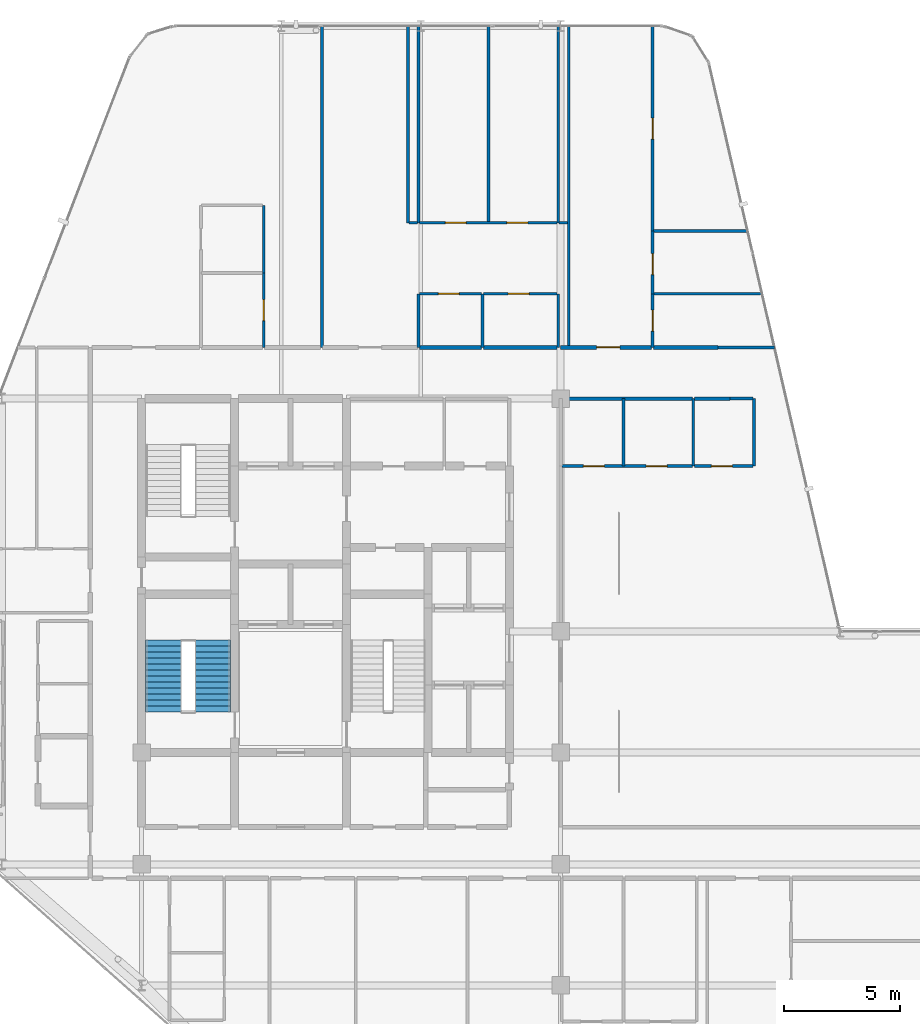
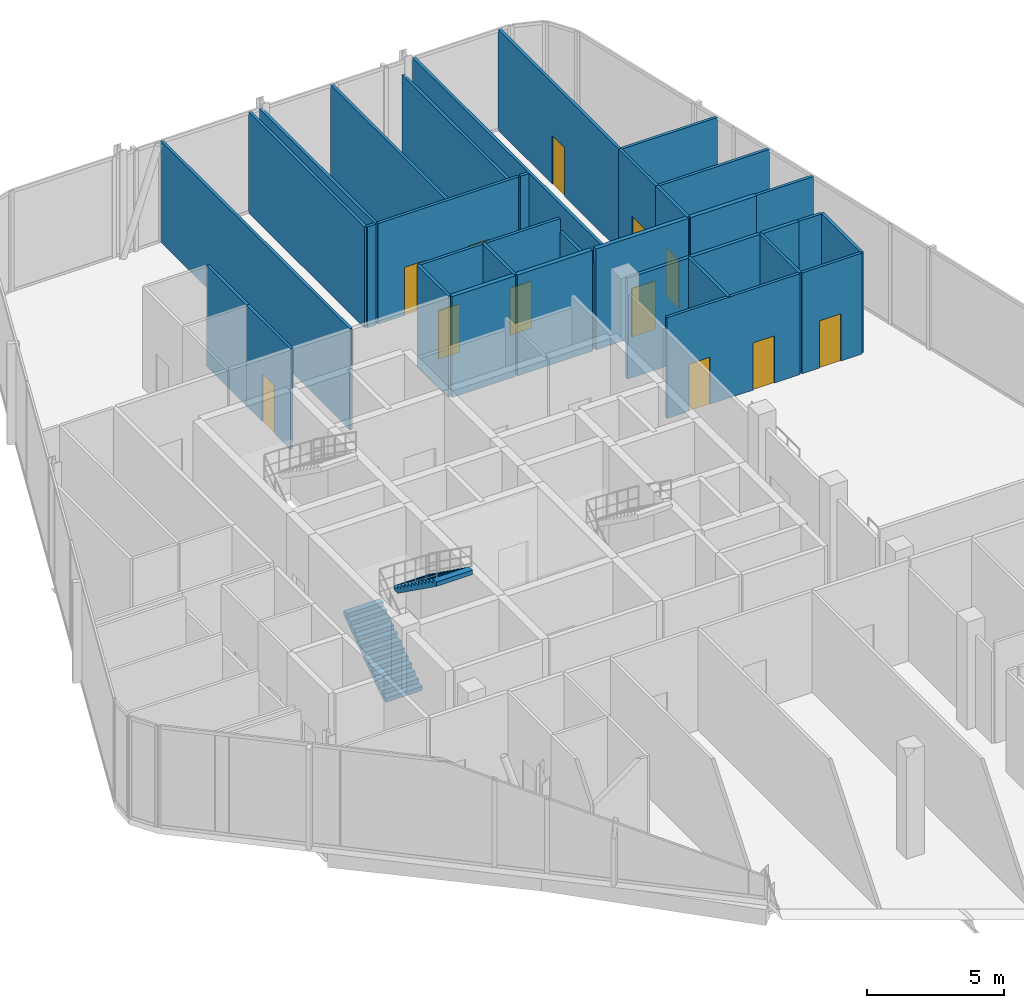
# One storey, part 27 of 29: 34 walls, 12 doors, 2 stair flights, 12 openings, 1 element without a shape of its own.
"""IFC4 building model written with IfcOpenShell, lengths in metres."""

from ifc_helpers import new_model, si_unit, direction, frame, frame_2d, origin, place, context, subcontext, project, spatial, polyline, rectangle, outline, extrude, material, layer, layer_set, type_object, element, fill, aggregate, save


model = new_model("IFC4")

# Units and contexts
model_context = context("Model", 3, precision=1e-05, world=origin(), true_north=direction((0.0, 1.0)))
body_context = subcontext(model_context, "Body", "Model", "MODEL_VIEW")
ifc_project = project(units=[si_unit("LENGTHUNIT", "METRE"), si_unit("AREAUNIT", "SQUARE_METRE"), si_unit("VOLUMEUNIT", "CUBIC_METRE"), si_unit("PLANEANGLEUNIT", "RADIAN"), si_unit("MASSUNIT", "GRAM", prefix="KILO")], contexts=[model_context])

# Site, building, storey
site_placement = place(None, origin())
site = spatial("IfcSite", under=ifc_project, at=site_placement, CompositionType="ELEMENT")
building_placement = place(site_placement, origin())
building = spatial("IfcBuilding", under=site, at=building_placement, Name="Keshet Zoharim Tower", CompositionType="ELEMENT")
storey_placement = place(building_placement, frame((0.0, 0.0, 218.0)))
storey = spatial("IfcBuildingStorey", under=building, at=storey_placement, Name="L54", CompositionType="ELEMENT", Elevation=218.0)

# Walls
ifc_material_1 = material(Name="Gypsum Plasterboard", Category="gypsum")
ifc_layer_1 = layer(ifc_material_1, 0.14990234375)
ifc_layer_set_1 = layer_set([ifc_layer_1], Name="Gypsum Plasterboard")
wall_type_1 = type_object("IfcWallType", Name="WL-CLIN-150", PredefinedType="STANDARD", material=ifc_layer_set_1)
wall_1_placement = place(storey_placement, frame((33.06005859375, 37.89990234375, 0.0), z_axis=(0.0, 0.0, 1.0), x_axis=(1.0, 0.0, 0.0)))
element("IfcWall", 1, at=wall_1_placement, inside=storey, type_object=wall_type_1, Name="L54 Interior Wall 160", PredefinedType="STANDARD", context=body_context, shape_type="SweptSolid", body=[
    extrude(rectangle(XDim=5.594970703125, YDim=0.14990234375, at=frame_2d((2.79736328125, 0.0))), origin(), (0.0, 0.0, 1.0), 4.489990234375),
])
wall_2_placement = place(storey_placement, frame((38.7451171875, 37.89990234375, 0.0), z_axis=(0.0, 0.0, 1.0), x_axis=(1.0, 0.0, 0.0)))
element("IfcWall", 2, at=wall_2_placement, inside=storey, type_object=wall_type_1, Name="L54 Interior Wall 161", PredefinedType="STANDARD", context=body_context, shape_type="SweptSolid", body=[
    extrude(rectangle(XDim=1.52490234375, YDim=0.14990234375, at=frame_2d((0.762451171875, 0.0))), origin(), (0.0, 0.0, 1.0), 4.489990234375),
])
ifc_layer_2 = layer(ifc_material_1, 0.179931640625)
ifc_layer_set_2 = layer_set([ifc_layer_2], Name="Gypsum Plasterboard")
wall_type_2 = type_object("IfcWallType", Name="WL-CORR-180", PredefinedType="STANDARD", material=ifc_layer_set_2)
wall_3_placement = place(storey_placement, frame((26.93505859375, 40.10009765625, 0.0), z_axis=(0.0, 0.0, 1.0), x_axis=(1.0, 0.0, 0.0)))
element("IfcWall", 3, at=wall_3_placement, inside=storey, type_object=wall_type_2, Name="L54 Interior Wall 169", PredefinedType="STANDARD", context=body_context, shape_type="SweptSolid", body=[
    extrude(rectangle(XDim=2.669921875, YDim=0.179931640625, at=frame_2d((1.3349609375, 0.0))), origin(), (0.0, 0.0, 1.0), 4.489990234375),
])
wall_4_placement = place(storey_placement, frame((29.695068359375, 40.10009765625, 0.0), z_axis=(0.0, 0.0, 1.0), x_axis=(1.0, 0.0, 0.0)))
element("IfcWall", 4, at=wall_4_placement, inside=storey, type_object=wall_type_2, Name="L54 Interior Wall 170", PredefinedType="STANDARD", context=body_context, shape_type="SweptSolid", body=[
    extrude(rectangle(XDim=3.14990234375, YDim=0.179931640625, at=frame_2d((1.574951171875, 0.0))), origin(), (0.0, 0.0, 1.0), 4.489990234375),
])

# Wall, opening, door
wall_5_placement = place(storey_placement, frame((33.0, 40.10009765625, 0.0), z_axis=(0.0, 0.0, 1.0), x_axis=(1.0, 0.0, 0.0)))
wall_5 = element("IfcWall", 5, at=wall_5_placement, inside=storey, type_object=wall_type_2, Name="L54 Interior Wall 171", PredefinedType="STANDARD", context=body_context, shape_type="SweptSolid", body=[
    extrude(rectangle(XDim=3.89501953125, YDim=0.179931640625, at=frame_2d((1.947509765625, 0.0))), origin(), (0.0, 0.0, 1.0), 4.489990234375),
])
opening_1_placement = place(wall_5_placement, frame((1.5439453125, 0.0, 0.0)))
opening_1 = element("IfcOpeningElement", 6, at=opening_1_placement, cuts=wall_5, Name="Opening D-F310", PredefinedType="OPENING", context=body_context, shape_type="SweptSolid", body=[
    extrude(rectangle(XDim=1.0, YDim=2.14990234375, at=frame_2d((0.5, 1.074951171875))), frame((0.0, 0.10009765625, 0.0), z_axis=(0.0, -1.0, 0.0), x_axis=(1.0, 0.0, 0.0)), (0.0, 0.0, 1.0), 0.199951171875),
])
ifc_material_2 = material(Name="Hardwood Timber", Category="wood")
door_type_1 = type_object("IfcDoorType", Name="DR-FD30-100", OperationType="NOTDEFINED", PredefinedType="DOOR", material=ifc_material_2)
door_1_placement = place(opening_1_placement, origin())
door_1 = element("IfcDoor", 7, at=door_1_placement, inside=storey, type_object=door_type_1, Name="Apartment 5407 Entrance Door", OperationType="SINGLE_SWING_LEFT", OverallHeight=2.14990234375, OverallWidth=1.0, PredefinedType="DOOR", context=body_context, shape_type="SweptSolid", body=[
    extrude(rectangle(XDim=1.0, YDim=2.14990234375, at=frame_2d((0.5, 1.074951171875))), frame((0.0, 0.02490234375, 0.0), z_axis=(0.0, -1.0, 0.0), x_axis=(1.0, 0.0, 0.0)), (0.0, 0.0, 1.0), 0.050048828125),
])
fill(opening_1, door_1)

# Wall
wall_6_placement = place(storey_placement, frame((36.985107421875, 40.10009765625, 0.0), z_axis=(0.0, 0.0, 1.0), x_axis=(1.0, 0.0, 0.0)))
element("IfcWall", 8, at=wall_6_placement, inside=storey, type_object=wall_type_2, Name="L54 Interior Wall 172", PredefinedType="STANDARD", context=body_context, shape_type="SweptSolid", body=[
    extrude(rectangle(XDim=2.77783203125, YDim=0.179931640625, at=frame_2d((1.388916015625, 0.0))), origin(), (0.0, 0.0, 1.0), 4.489990234375),
])

# Wall, opening, door
ifc_layer_3 = layer(ifc_material_1, 0.1201171875)
ifc_layer_set_3 = layer_set([ifc_layer_3], Name="Gypsum Plasterboard")
wall_type_3 = type_object("IfcWallType", Name="WL-PART-120", PredefinedType="PARTITIONING", material=ifc_layer_set_3)
wall_7_placement = place(storey_placement, frame((20.25, 40.10009765625, 0.0), z_axis=(0.0, 0.0, 1.0), x_axis=(0.0, 1.0, 0.0)))
wall_7 = element("IfcWall", 9, at=wall_7_placement, inside=storey, type_object=wall_type_3, Name="L54 Interior Wall 028", PredefinedType="PARTITIONING", context=body_context, shape_type="SweptSolid", body=[
    extrude(rectangle(XDim=3.199951171875, YDim=0.1201171875, at=frame_2d((1.60009765625, 0.0))), origin(), (0.0, 0.0, 1.0), 4.489990234375),
])
opening_2_placement = place(wall_7_placement, frame((1.14990234375, 0.0, 0.0)))
opening_2 = element("IfcOpeningElement", 10, at=opening_2_placement, cuts=wall_7, Name="Opening D-IN90", PredefinedType="OPENING", context=body_context, shape_type="SweptSolid", body=[
    extrude(rectangle(XDim=0.89990234375, YDim=2.14990234375, at=frame_2d((0.449951171875, 1.074951171875))), frame((0.0, 0.070068359375, 0.0), z_axis=(0.0, -1.0, 0.0), x_axis=(1.0, 0.0, 0.0)), (0.0, 0.0, 1.0), 0.14013671875),
])
door_type_2 = type_object("IfcDoorType", Name="DR-INT-090", OperationType="NOTDEFINED", PredefinedType="DOOR", material=ifc_material_2)
door_2_placement = place(opening_2_placement, origin())
door_2 = element("IfcDoor", 11, at=door_2_placement, inside=storey, type_object=door_type_2, Name="Apartment 5405 Kitchenette Door", OperationType="SINGLE_SWING_RIGHT", OverallHeight=2.14990234375, OverallWidth=0.89990234375, PredefinedType="DOOR", context=body_context, shape_type="SweptSolid", body=[
    extrude(rectangle(XDim=0.89990234375, YDim=2.14990234375, at=frame_2d((0.449951171875, 1.074951171875))), frame((0.0, 0.02490234375, 0.0), z_axis=(0.0, -1.0, 0.0), x_axis=(1.0, 0.0, 0.0)), (0.0, 0.0, 1.0), 0.050048828125),
])
fill(opening_2, door_2)

# Walls
wall_8_placement = place(storey_placement, frame((22.75, 40.10009765625, 0.0), z_axis=(0.0, 0.0, 1.0), x_axis=(0.0, 1.0, 0.0)))
element("IfcWall", 12, at=wall_8_placement, inside=storey, type_object=wall_type_3, Name="L54 Interior Wall 033", PredefinedType="PARTITIONING", context=body_context, shape_type="SweptSolid", body=[
    extrude(rectangle(XDim=13.789794921875, YDim=0.1201171875, at=frame_2d((6.89501953125, 0.0))), origin(), (0.0, 0.0, 1.0), 4.489990234375),
])
wall_9_placement = place(storey_placement, frame((26.449951171875, 45.449951171875, 0.0), z_axis=(0.0, 0.0, 1.0), x_axis=(0.0, 1.0, 0.0)))
element("IfcWall", 13, at=wall_9_placement, inside=storey, type_object=wall_type_3, Name="L54 Interior Wall 042", PredefinedType="PARTITIONING", context=body_context, shape_type="SweptSolid", body=[
    extrude(rectangle(XDim=8.43994140625, YDim=0.1201171875, at=frame_2d((4.219970703125, 0.0))), origin(), (0.0, 0.0, 1.0), 4.489990234375),
])
wall_10_placement = place(storey_placement, frame((26.89990234375, 40.10009765625, 0.0), z_axis=(0.0, 0.0, 1.0), x_axis=(0.0, 1.0, 0.0)))
element("IfcWall", 14, at=wall_10_placement, inside=storey, type_object=wall_type_3, Name="L54 Interior Wall 043", PredefinedType="PARTITIONING", context=body_context, shape_type="SweptSolid", body=[
    extrude(rectangle(XDim=2.2998046875, YDim=0.1201171875, at=frame_2d((1.14990234375, 0.0))), origin(), (0.0, 0.0, 1.0), 4.489990234375),
])
for number, where, z_axis, x_axis, name in (
    (15, (26.89990234375, 45.449951171875, 0.0), (0.0, 0.0, 1.0), (0.0, 1.0, 0.0), "L54 Interior Wall 044"),
    (16, (29.89990234375, 45.449951171875, 0.0), (0.0, 0.0, 1.0), (0.0, 1.0, 0.0), "L54 Interior Wall 056"),
):
    element("IfcWall", number, at=place(storey_placement, frame(where, z_axis=z_axis, x_axis=x_axis)), inside=storey, type_object=wall_type_3, Name=name, PredefinedType="PARTITIONING", context=body_context, shape_type="SweptSolid", body=[
        extrude(rectangle(XDim=8.43994140625, YDim=0.1201171875, at=frame_2d((4.219970703125, 0.0))), origin(), (0.0, 0.0, 1.0), 4.489990234375),
    ])
wall_11_placement = place(storey_placement, frame((32.89990234375, 45.449951171875, 0.0), z_axis=(0.0, 0.0, 1.0), x_axis=(0.0, 1.0, 0.0)))
element("IfcWall", 17, at=wall_11_placement, inside=storey, type_object=wall_type_3, Name="L54 Interior Wall 066", PredefinedType="PARTITIONING", context=body_context, shape_type="SweptSolid", body=[
    extrude(rectangle(XDim=8.43994140625, YDim=0.1201171875, at=frame_2d((4.219970703125, 0.0))), origin(), (0.0, 0.0, 1.0), 3.889892578125),
])
wall_12_placement = place(storey_placement, frame((33.35009765625, 40.10009765625, 0.0), z_axis=(0.0, 0.0, 1.0), x_axis=(0.0, 1.0, 0.0)))
element("IfcWall", 18, at=wall_12_placement, inside=storey, type_object=wall_type_3, Name="L54 Interior Wall 071", PredefinedType="PARTITIONING", context=body_context, shape_type="SweptSolid", body=[
    extrude(rectangle(XDim=13.789794921875, YDim=0.1201171875, at=frame_2d((6.89501953125, 0.0))), origin(), (0.0, 0.0, 1.0), 4.489990234375),
])

# Wall, opening, door
wall_13_placement = place(storey_placement, frame((36.949951171875, 40.10009765625, 0.0), z_axis=(0.0, 0.0, 1.0), x_axis=(0.0, 1.0, 0.0)))
wall_13 = element("IfcWall", 19, at=wall_13_placement, inside=storey, type_object=wall_type_3, Name="L54 Interior Wall 075", PredefinedType="PARTITIONING", context=body_context, shape_type="SweptSolid", body=[
    extrude(rectangle(XDim=2.2998046875, YDim=0.1201171875, at=frame_2d((1.14990234375, 0.0))), origin(), (0.0, 0.0, 1.0), 4.489990234375),
])
opening_3_placement = place(wall_13_placement, frame((0.699951171875, 0.0, 0.0)))
opening_3 = element("IfcOpeningElement", 20, at=opening_3_placement, cuts=wall_13, Name="Opening D-IN90", PredefinedType="OPENING", context=body_context, shape_type="SweptSolid", body=[
    extrude(rectangle(XDim=0.89990234375, YDim=2.14990234375, at=frame_2d((0.449951171875, 1.074951171875))), frame((0.0, 0.070068359375, 0.0), z_axis=(0.0, -1.0, 0.0), x_axis=(1.0, 0.0, 0.0)), (0.0, 0.0, 1.0), 0.14013671875),
])
door_3_placement = place(opening_3_placement, origin())
door_3 = element("IfcDoor", 21, at=door_3_placement, inside=storey, type_object=door_type_2, Name="Apartment 5407 Kitchen Door", OperationType="SINGLE_SWING_RIGHT", OverallHeight=2.14990234375, OverallWidth=0.89990234375, PredefinedType="DOOR", context=body_context, shape_type="SweptSolid", body=[
    extrude(rectangle(XDim=0.89990234375, YDim=2.14990234375, at=frame_2d((0.449951171875, 1.074951171875))), frame((0.0, 0.02490234375, 0.0), z_axis=(0.0, -1.0, 0.0), x_axis=(1.0, 0.0, 0.0)), (0.0, 0.0, 1.0), 0.050048828125),
])
fill(opening_3, door_3)

wall_14_placement = place(storey_placement, frame((36.949951171875, 45.10009765625, 0.0), z_axis=(0.0, 0.0, 1.0), x_axis=(0.0, 1.0, 0.0)))
wall_14 = element("IfcWall", 22, at=wall_14_placement, inside=storey, type_object=wall_type_3, Name="L54 Interior Wall 077", PredefinedType="PARTITIONING", context=body_context, shape_type="SweptSolid", body=[
    extrude(rectangle(XDim=8.789794921875, YDim=0.1201171875, at=frame_2d((4.39501953125, 0.0))), origin(), (0.0, 0.0, 1.0), 4.489990234375),
])
opening_4_placement = place(wall_14_placement, frame((3.945068359375, 0.0, 0.0)))
opening_4 = element("IfcOpeningElement", 23, at=opening_4_placement, cuts=wall_14, Name="Opening D-IN90", PredefinedType="OPENING", context=body_context, shape_type="SweptSolid", body=[
    extrude(rectangle(XDim=0.89990234375, YDim=2.14990234375, at=frame_2d((0.449951171875, 1.074951171875))), frame((0.0, 0.070068359375, 0.0), z_axis=(0.0, -1.0, 0.0), x_axis=(1.0, 0.0, 0.0)), (0.0, 0.0, 1.0), 0.14013671875),
])
door_4_placement = place(opening_4_placement, origin())
door_4 = element("IfcDoor", 24, at=door_4_placement, inside=storey, type_object=door_type_2, Name="Apartment 5407 Bedroom 1 Door", OperationType="SINGLE_SWING_RIGHT", OverallHeight=2.14990234375, OverallWidth=0.89990234375, PredefinedType="DOOR", context=body_context, shape_type="SweptSolid", body=[
    extrude(rectangle(XDim=0.89990234375, YDim=2.14990234375, at=frame_2d((0.449951171875, 1.074951171875))), frame((0.0, 0.02490234375, 0.0), z_axis=(0.0, -1.0, 0.0), x_axis=(1.0, 0.0, 0.0)), (0.0, 0.0, 1.0), 0.050048828125),
])
fill(opening_4, door_4)

# Wall
wall_15_placement = place(storey_placement, frame((39.762939453125, 40.10009765625, 0.0), z_axis=(0.0, 0.0, 1.0), x_axis=(1.0, 0.0, 0.0)))
element("IfcWall", 25, at=wall_15_placement, inside=storey, type_object=wall_type_3, Name="L54 Interior Wall 173", PredefinedType="PARTITIONING", context=body_context, shape_type="SweptSolid", body=[
    extrude(rectangle(XDim=2.412109375, YDim=0.1201171875, at=frame_2d((1.2060546875, 0.0))), origin(), (0.0, 0.0, 1.0), 4.489990234375),
])

# Wall, opening, door
wall_16_placement = place(storey_placement, frame((26.93505859375, 42.39990234375, 0.0), z_axis=(0.0, 0.0, 1.0), x_axis=(1.0, 0.0, 0.0)))
wall_16 = element("IfcWall", 26, at=wall_16_placement, inside=storey, type_object=wall_type_3, Name="L54 Interior Wall 174", PredefinedType="PARTITIONING", context=body_context, shape_type="SweptSolid", body=[
    extrude(rectangle(XDim=2.669921875, YDim=0.1201171875, at=frame_2d((1.3349609375, 0.0))), origin(), (0.0, 0.0, 1.0), 4.489990234375),
])
opening_5_placement = place(wall_16_placement, frame((0.81005859375, 0.0, 0.0)))
opening_5 = element("IfcOpeningElement", 27, at=opening_5_placement, cuts=wall_16, Name="Opening D-IN90", PredefinedType="OPENING", context=body_context, shape_type="SweptSolid", body=[
    extrude(rectangle(XDim=0.89990234375, YDim=2.14990234375, at=frame_2d((0.449951171875, 1.074951171875))), frame((0.0, 0.070068359375, 0.0), z_axis=(0.0, -1.0, 0.0), x_axis=(1.0, 0.0, 0.0)), (0.0, 0.0, 1.0), 0.14013671875),
])
door_5_placement = place(opening_5_placement, origin())
door_5 = element("IfcDoor", 28, at=door_5_placement, inside=storey, type_object=door_type_2, Name="Apartment 5406 Kitchen Door", OperationType="SINGLE_SWING_RIGHT", OverallHeight=2.14990234375, OverallWidth=0.89990234375, PredefinedType="DOOR", context=body_context, shape_type="SweptSolid", body=[
    extrude(rectangle(XDim=0.89990234375, YDim=2.14990234375, at=frame_2d((0.449951171875, 1.074951171875))), frame((0.0, 0.02490234375, 0.0), z_axis=(0.0, -1.0, 0.0), x_axis=(1.0, 0.0, 0.0)), (0.0, 0.0, 1.0), 0.050048828125),
])
fill(opening_5, door_5)

# Wall
wall_17_placement = place(storey_placement, frame((26.485107421875, 45.449951171875, 0.0), z_axis=(0.0, 0.0, 1.0), x_axis=(1.0, 0.0, 0.0)))
element("IfcWall", 29, at=wall_17_placement, inside=storey, type_object=wall_type_3, Name="L54 Interior Wall 179", PredefinedType="PARTITIONING", context=body_context, shape_type="SweptSolid", body=[
    extrude(rectangle(XDim=0.35986328125, YDim=0.1201171875, at=frame_2d((0.179931640625, 0.0))), origin(), (0.0, 0.0, 1.0), 4.489990234375),
])

# Wall, openings, doors
wall_18_placement = place(storey_placement, frame((26.93505859375, 45.449951171875, 0.0), z_axis=(0.0, 0.0, 1.0), x_axis=(1.0, 0.0, 0.0)))
wall_18 = element("IfcWall", 30, at=wall_18_placement, inside=storey, type_object=wall_type_3, Name="L54 Interior Wall 180", PredefinedType="PARTITIONING", context=body_context, shape_type="SweptSolid", body=[
    extrude(rectangle(XDim=5.909912109375, YDim=0.1201171875, at=frame_2d((2.955078125, 0.0))), origin(), (0.0, 0.0, 1.0), 4.489990234375),
])
opening_6_placement = place(wall_18_placement, frame((1.110107421875, 0.0, 0.0)))
opening_6 = element("IfcOpeningElement", 31, at=opening_6_placement, cuts=wall_18, Name="Opening D-IN90", PredefinedType="OPENING", context=body_context, shape_type="SweptSolid", body=[
    extrude(rectangle(XDim=0.89990234375, YDim=2.14990234375, at=frame_2d((0.449951171875, 1.074951171875))), frame((0.0, 0.070068359375, 0.0), z_axis=(0.0, -1.0, 0.0), x_axis=(1.0, 0.0, 0.0)), (0.0, 0.0, 1.0), 0.14013671875),
])
opening_7_placement = place(wall_18_placement, frame((3.760009765625, 0.0, 0.0)))
opening_7 = element("IfcOpeningElement", 32, at=opening_7_placement, cuts=wall_18, Name="Opening D-IN90", PredefinedType="OPENING", context=body_context, shape_type="SweptSolid", body=[
    extrude(rectangle(XDim=0.89990234375, YDim=2.14990234375, at=frame_2d((0.449951171875, 1.074951171875))), frame((0.0, 0.070068359375, 0.0), z_axis=(0.0, -1.0, 0.0), x_axis=(1.0, 0.0, 0.0)), (0.0, 0.0, 1.0), 0.14013671875),
])
door_6_placement = place(opening_6_placement, origin())
door_6 = element("IfcDoor", 33, at=door_6_placement, inside=storey, type_object=door_type_2, Name="Apartment 5406 Bedroom 1 Door", OperationType="SINGLE_SWING_RIGHT", OverallHeight=2.14990234375, OverallWidth=0.89990234375, PredefinedType="DOOR", context=body_context, shape_type="SweptSolid", body=[
    extrude(rectangle(XDim=0.89990234375, YDim=2.14990234375, at=frame_2d((0.449951171875, 1.074951171875))), frame((0.0, 0.02490234375, 0.0), z_axis=(0.0, -1.0, 0.0), x_axis=(1.0, 0.0, 0.0)), (0.0, 0.0, 1.0), 0.050048828125),
])
fill(opening_6, door_6)
door_7_placement = place(opening_7_placement, origin())
door_7 = element("IfcDoor", 34, at=door_7_placement, inside=storey, type_object=door_type_2, Name="Apartment 5406 Bedroom 2 Door", OperationType="SINGLE_SWING_LEFT", OverallHeight=2.14990234375, OverallWidth=0.89990234375, PredefinedType="DOOR", context=body_context, shape_type="SweptSolid", body=[
    extrude(rectangle(XDim=0.89990234375, YDim=2.14990234375, at=frame_2d((0.449951171875, 1.074951171875))), frame((0.0, 0.02490234375, 0.0), z_axis=(0.0, -1.0, 0.0), x_axis=(1.0, 0.0, 0.0)), (0.0, 0.0, 1.0), 0.050048828125),
])
fill(opening_7, door_7)

# Walls
wall_19_placement = place(storey_placement, frame((32.93505859375, 45.449951171875, 0.0), z_axis=(0.0, 0.0, 1.0), x_axis=(1.0, 0.0, 0.0)))
element("IfcWall", 35, at=wall_19_placement, inside=storey, type_object=wall_type_3, Name="L54 Interior Wall 181", PredefinedType="PARTITIONING", context=body_context, shape_type="SweptSolid", body=[
    extrude(rectangle(XDim=0.35986328125, YDim=0.1201171875, at=frame_2d((0.179931640625, 0.0))), origin(), (0.0, 0.0, 1.0), 4.489990234375),
])
ifc_layer_4 = layer(ifc_material_1, 0.1201171875)
ifc_layer_set_4 = layer_set([ifc_layer_4], Name="Gypsum Plasterboard")
wall_type_4 = type_object("IfcWallType", Name="WL-WET-120", PredefinedType="PARTITIONING", material=ifc_layer_set_4)
wall_20_placement = place(storey_placement, frame((20.25, 43.300048828125, 0.0), z_axis=(0.0, 0.0, 1.0), x_axis=(0.0, 1.0, 0.0)))
element("IfcWall", 36, at=wall_20_placement, inside=storey, type_object=wall_type_4, Name="L54 Interior Wall 029", PredefinedType="PARTITIONING", context=body_context, shape_type="SweptSolid", body=[
    extrude(rectangle(XDim=2.89990234375, YDim=0.1201171875, at=frame_2d((1.449951171875, 0.0))), origin(), (0.0, 0.0, 1.0), 4.489990234375),
])
wall_21_placement = place(storey_placement, frame((29.64990234375, 40.10009765625, 0.0), z_axis=(0.0, 0.0, 1.0), x_axis=(0.0, 1.0, 0.0)))
element("IfcWall", 37, at=wall_21_placement, inside=storey, type_object=wall_type_4, Name="L54 Interior Wall 055", PredefinedType="PARTITIONING", context=body_context, shape_type="SweptSolid", body=[
    extrude(rectangle(XDim=2.2998046875, YDim=0.1201171875, at=frame_2d((1.14990234375, 0.0))), origin(), (0.0, 0.0, 1.0), 4.489990234375),
])
wall_22_placement = place(storey_placement, frame((32.89990234375, 40.10009765625, 0.0), z_axis=(0.0, 0.0, 1.0), x_axis=(0.0, 1.0, 0.0)))
element("IfcWall", 38, at=wall_22_placement, inside=storey, type_object=wall_type_4, Name="L54 Interior Wall 065", PredefinedType="PARTITIONING", context=body_context, shape_type="SweptSolid", body=[
    extrude(rectangle(XDim=2.2998046875, YDim=0.1201171875, at=frame_2d((1.14990234375, 0.0))), origin(), (0.0, 0.0, 1.0), 3.889892578125),
])
wall_23_placement = place(storey_placement, frame((35.699951171875, 35.0, 0.0), z_axis=(0.0, 0.0, 1.0), x_axis=(0.0, 1.0, 0.0)))
element("IfcWall", 39, at=wall_23_placement, inside=storey, type_object=wall_type_4, Name="L54 Interior Wall 073", PredefinedType="PARTITIONING", context=body_context, shape_type="SweptSolid", body=[
    extrude(rectangle(XDim=2.89990234375, YDim=0.1201171875, at=frame_2d((1.449951171875, 0.0))), origin(), (0.0, 0.0, 1.0), 4.489990234375),
])

# Wall, opening, door
wall_24_placement = place(storey_placement, frame((36.949951171875, 42.39990234375, 0.0), z_axis=(0.0, 0.0, 1.0), x_axis=(0.0, 1.0, 0.0)))
wall_24 = element("IfcWall", 40, at=wall_24_placement, inside=storey, type_object=wall_type_4, Name="L54 Interior Wall 076", PredefinedType="PARTITIONING", context=body_context, shape_type="SweptSolid", body=[
    extrude(rectangle(XDim=2.7001953125, YDim=0.1201171875, at=frame_2d((1.35009765625, 0.0))), origin(), (0.0, 0.0, 1.0), 4.489990234375),
])
opening_8_placement = place(wall_24_placement, frame((0.827880859375, 0.0, 0.0)))
opening_8 = element("IfcOpeningElement", 41, at=opening_8_placement, cuts=wall_24, Name="Opening D-WT90", PredefinedType="OPENING", context=body_context, shape_type="SweptSolid", body=[
    extrude(rectangle(XDim=0.89990234375, YDim=2.10009765625, at=frame_2d((0.449951171875, 1.050048828125))), frame((0.0, 0.070068359375, 0.0), z_axis=(0.0, -1.0, 0.0), x_axis=(1.0, 0.0, 0.0)), (0.0, 0.0, 1.0), 0.14013671875),
])
door_type_3 = type_object("IfcDoorType", Name="DR-WET-090", OperationType="NOTDEFINED", PredefinedType="DOOR", material=ifc_material_2)
door_8_placement = place(opening_8_placement, origin())
door_8 = element("IfcDoor", 42, at=door_8_placement, inside=storey, type_object=door_type_3, Name="Apartment 5407 Bathroom Door", OperationType="SINGLE_SWING_LEFT", OverallHeight=2.10009765625, OverallWidth=0.89990234375, PredefinedType="DOOR", context=body_context, shape_type="SweptSolid", body=[
    extrude(rectangle(XDim=0.89990234375, YDim=2.10009765625, at=frame_2d((0.449951171875, 1.050048828125))), frame((0.0, 0.02490234375, 0.0), z_axis=(0.0, -1.0, 0.0), x_axis=(1.0, 0.0, 0.0)), (0.0, 0.0, 1.0), 0.050048828125),
])
fill(opening_8, door_8)

# Walls
for number, where, z_axis, x_axis, name in (
    (43, (38.699951171875, 35.0, 0.0), (0.0, 0.0, 1.0), (0.0, 1.0, 0.0), "L54 Interior Wall 078"),
    (44, (41.300048828125, 35.0, 0.0), (0.0, 0.0, 1.0), (0.0, 1.0, 0.0), "L54 Interior Wall 082"),
):
    element("IfcWall", number, at=place(storey_placement, frame(where, z_axis=z_axis, x_axis=x_axis)), inside=storey, type_object=wall_type_4, Name=name, PredefinedType="PARTITIONING", context=body_context, shape_type="SweptSolid", body=[
        extrude(rectangle(XDim=2.89990234375, YDim=0.1201171875, at=frame_2d((1.449951171875, 0.0))), origin(), (0.0, 0.0, 1.0), 4.489990234375),
    ])

# Wall, openings, doors
wall_25_placement = place(storey_placement, frame((33.06005859375, 35.0, 0.0), z_axis=(0.0, 0.0, 1.0), x_axis=(1.0, 0.0, 0.0)))
wall_25 = element("IfcWall", 45, at=wall_25_placement, inside=storey, type_object=wall_type_4, Name="L54 Interior Wall 154", PredefinedType="PARTITIONING", context=body_context, shape_type="SweptSolid", body=[
    extrude(rectangle(XDim=5.594970703125, YDim=0.1201171875, at=frame_2d((2.79736328125, 0.0))), origin(), (0.0, 0.0, 1.0), 4.489990234375),
])
opening_9_placement = place(wall_25_placement, frame((0.9150390625, 0.0, 0.0)))
opening_9 = element("IfcOpeningElement", 46, at=opening_9_placement, cuts=wall_25, Name="Opening D-WT90", PredefinedType="OPENING", context=body_context, shape_type="SweptSolid", body=[
    extrude(rectangle(XDim=0.89990234375, YDim=2.10009765625, at=frame_2d((0.449951171875, 1.050048828125))), frame((0.0, 0.070068359375, 0.0), z_axis=(0.0, -1.0, 0.0), x_axis=(1.0, 0.0, 0.0)), (0.0, 0.0, 1.0), 0.14013671875),
])
opening_10_placement = place(wall_25_placement, frame((3.614990234375, 0.0, 0.0)))
opening_10 = element("IfcOpeningElement", 47, at=opening_10_placement, cuts=wall_25, Name="Opening D-WT90", PredefinedType="OPENING", context=body_context, shape_type="SweptSolid", body=[
    extrude(rectangle(XDim=0.89990234375, YDim=2.10009765625, at=frame_2d((0.449951171875, 1.050048828125))), frame((0.0, 0.070068359375, 0.0), z_axis=(0.0, -1.0, 0.0), x_axis=(1.0, 0.0, 0.0)), (0.0, 0.0, 1.0), 0.14013671875),
])
door_9_placement = place(opening_9_placement, origin())
door_9 = element("IfcDoor", 48, at=door_9_placement, inside=storey, type_object=door_type_3, Name="L54 Public WCM Door", OperationType="SINGLE_SWING_RIGHT", OverallHeight=2.10009765625, OverallWidth=0.89990234375, PredefinedType="DOOR", context=body_context, shape_type="SweptSolid", body=[
    extrude(rectangle(XDim=0.89990234375, YDim=2.10009765625, at=frame_2d((0.449951171875, 1.050048828125))), frame((0.0, 0.02490234375, 0.0), z_axis=(0.0, -1.0, 0.0), x_axis=(1.0, 0.0, 0.0)), (0.0, 0.0, 1.0), 0.050048828125),
])
fill(opening_9, door_9)
door_10_placement = place(opening_10_placement, origin())
door_10 = element("IfcDoor", 49, at=door_10_placement, inside=storey, type_object=door_type_3, Name="L54 Public WCF Door", OperationType="SINGLE_SWING_LEFT", OverallHeight=2.10009765625, OverallWidth=0.89990234375, PredefinedType="DOOR", context=body_context, shape_type="SweptSolid", body=[
    extrude(rectangle(XDim=0.89990234375, YDim=2.10009765625, at=frame_2d((0.449951171875, 1.050048828125))), frame((0.0, 0.02490234375, 0.0), z_axis=(0.0, -1.0, 0.0), x_axis=(1.0, 0.0, 0.0)), (0.0, 0.0, 1.0), 0.050048828125),
])
fill(opening_10, door_10)

# Wall, opening, door
wall_26_placement = place(storey_placement, frame((38.7451171875, 35.0, 0.0), z_axis=(0.0, 0.0, 1.0), x_axis=(1.0, 0.0, 0.0)))
wall_26 = element("IfcWall", 50, at=wall_26_placement, inside=storey, type_object=wall_type_4, Name="L54 Interior Wall 155", PredefinedType="PARTITIONING", context=body_context, shape_type="SweptSolid", body=[
    extrude(rectangle(XDim=2.509765625, YDim=0.1201171875, at=frame_2d((1.2548828125, 0.0))), origin(), (0.0, 0.0, 1.0), 4.489990234375),
])
opening_11_placement = place(wall_26_placement, frame((0.73095703125, 0.0, 0.0)))
opening_11 = element("IfcOpeningElement", 51, at=opening_11_placement, cuts=wall_26, Name="Opening D-WT90", PredefinedType="OPENING", context=body_context, shape_type="SweptSolid", body=[
    extrude(rectangle(XDim=0.89990234375, YDim=2.10009765625, at=frame_2d((0.449951171875, 1.050048828125))), frame((0.0, 0.070068359375, 0.0), z_axis=(0.0, -1.0, 0.0), x_axis=(1.0, 0.0, 0.0)), (0.0, 0.0, 1.0), 0.14013671875),
])
door_11_placement = place(opening_11_placement, origin())
door_11 = element("IfcDoor", 52, at=door_11_placement, inside=storey, type_object=door_type_3, Name="L54 Public WCA Door", OperationType="SINGLE_SWING_RIGHT", OverallHeight=2.10009765625, OverallWidth=0.89990234375, PredefinedType="DOOR", context=body_context, shape_type="SweptSolid", body=[
    extrude(rectangle(XDim=0.89990234375, YDim=2.10009765625, at=frame_2d((0.449951171875, 1.050048828125))), frame((0.0, 0.02490234375, 0.0), z_axis=(0.0, -1.0, 0.0), x_axis=(1.0, 0.0, 0.0)), (0.0, 0.0, 1.0), 0.050048828125),
])
fill(opening_11, door_11)

# Wall
wall_27_placement = place(storey_placement, frame((40.27001953125, 37.89990234375, 0.0), z_axis=(0.0, 0.0, 1.0), x_axis=(1.0, 0.0, 0.0)))
element("IfcWall", 53, at=wall_27_placement, inside=storey, type_object=wall_type_4, Name="L54 Interior Wall 162", PredefinedType="PARTITIONING", context=body_context, shape_type="SweptSolid", body=[
    extrude(rectangle(XDim=0.98486328125, YDim=0.1201171875, at=frame_2d((0.492431640625, 0.0))), origin(), (0.0, 0.0, 1.0), 4.489990234375),
])

# Wall, opening, door
wall_28_placement = place(storey_placement, frame((29.695068359375, 42.39990234375, 0.0), z_axis=(0.0, 0.0, 1.0), x_axis=(1.0, 0.0, 0.0)))
wall_28 = element("IfcWall", 54, at=wall_28_placement, inside=storey, type_object=wall_type_4, Name="L54 Interior Wall 175", PredefinedType="PARTITIONING", context=body_context, shape_type="SweptSolid", body=[
    extrude(rectangle(XDim=3.14990234375, YDim=0.1201171875, at=frame_2d((1.574951171875, 0.0))), origin(), (0.0, 0.0, 1.0), 4.489990234375),
])
opening_12_placement = place(wall_28_placement, frame((1.053955078125, 0.0, 0.0)))
opening_12 = element("IfcOpeningElement", 55, at=opening_12_placement, cuts=wall_28, Name="Opening D-WT90", PredefinedType="OPENING", context=body_context, shape_type="SweptSolid", body=[
    extrude(rectangle(XDim=0.89990234375, YDim=2.10009765625, at=frame_2d((0.449951171875, 1.050048828125))), frame((0.0, 0.070068359375, 0.0), z_axis=(0.0, -1.0, 0.0), x_axis=(1.0, 0.0, 0.0)), (0.0, 0.0, 1.0), 0.14013671875),
])
door_12_placement = place(opening_12_placement, origin())
door_12 = element("IfcDoor", 56, at=door_12_placement, inside=storey, type_object=door_type_3, Name="Apartment 5406 Bathroom Door", OperationType="SINGLE_SWING_LEFT", OverallHeight=2.10009765625, OverallWidth=0.89990234375, PredefinedType="DOOR", context=body_context, shape_type="SweptSolid", body=[
    extrude(rectangle(XDim=0.89990234375, YDim=2.10009765625, at=frame_2d((0.449951171875, 1.050048828125))), frame((0.0, 0.02490234375, 0.0), z_axis=(0.0, -1.0, 0.0), x_axis=(1.0, 0.0, 0.0)), (0.0, 0.0, 1.0), 0.050048828125),
])
fill(opening_12, door_12)

# Walls
wall_29_placement = place(storey_placement, frame((36.985107421875, 42.39990234375, 0.0), z_axis=(0.0, 0.0, 1.0), x_axis=(1.0, 0.0, 0.0)))
element("IfcWall", 57, at=wall_29_placement, inside=storey, type_object=wall_type_4, Name="L54 Interior Wall 176", PredefinedType="PARTITIONING", context=body_context, shape_type="SweptSolid", body=[
    extrude(rectangle(XDim=4.658935546875, YDim=0.1201171875, at=frame_2d((2.32958984375, 0.0))), origin(), (0.0, 0.0, 1.0), 4.489990234375),
])
wall_30_placement = place(storey_placement, frame((36.985107421875, 45.10009765625, 0.0), z_axis=(0.0, 0.0, 1.0), x_axis=(1.0, 0.0, 0.0)))
element("IfcWall", 58, at=wall_30_placement, inside=storey, type_object=wall_type_4, Name="L54 Interior Wall 178", PredefinedType="PARTITIONING", context=body_context, shape_type="SweptSolid", body=[
    extrude(rectangle(XDim=4.035888671875, YDim=0.1201171875, at=frame_2d((2.01806640625, 0.0))), origin(), (0.0, 0.0, 1.0), 4.489990234375),
])

# Stair, stair flights
ifc_material_3 = material(Name="Concrete C50/60", Category="concrete")
stair_type = type_object("IfcStairType", Name="STR-EXIT-135", PredefinedType="HALF_TURN_STAIR", material=ifc_material_3)
stair_placement = place(storey_placement, origin())
stair = element("IfcStair", 59, at=stair_placement, inside=storey, type_object=stair_type, Name="L54 Enclosed Exit Stair ST-01", PredefinedType="HALF_TURN_STAIR")
stair_flight_type = type_object("IfcStairFlightType", Name="FLT-PRE-135", PredefinedType="STRAIGHT", material=ifc_material_3)
stair_flight_1_placement = place(storey_placement, frame((15.945068359375, 24.43994140625, 0.0), z_axis=(0.0, 0.0, 1.0), x_axis=(0.0, 1.0, 0.0)))
stair_flight_1 = element("IfcStairFlight", 60, at=stair_flight_1_placement, type_object=stair_flight_type, Name="ST-01 flight 1", NumberOfRisers=13, NumberOfTreads=12, PredefinedType="STRAIGHT", RiserHeight=0.184615, TreadLength=0.258, context=body_context, shape_type="SweptSolid", body=[
    extrude(outline(polyline([(0.0, 0.0), (0.0, 0.1845703125), (0.258056640625, 0.1845703125), (0.258056640625, 0.369140625), (0.51611328125, 0.369140625), (0.51611328125, 0.553955078125), (0.77392578125, 0.553955078125), (0.77392578125, 0.738525390625), (1.031982421875, 0.738525390625), (1.031982421875, 0.923095703125), (1.2900390625, 0.923095703125), (1.2900390625, 1.107666015625), (1.548095703125, 1.107666015625), (1.548095703125, 1.292236328125), (1.805908203125, 1.292236328125), (1.805908203125, 1.476806640625), (2.06396484375, 1.476806640625), (2.06396484375, 1.66162109375), (2.322021484375, 1.66162109375), (2.322021484375, 1.84619140625), (2.580078125, 1.84619140625), (2.580078125, 2.03076171875), (2.837890625, 2.03076171875), (2.837890625, 2.21533203125), (3.095947265625, 2.21533203125), (3.095947265625, 2.39990234375), (3.095947265625, 2.018798828125), (0.27490234375, 0.0), (0.0, 0.0)])), frame((0.0, 0.76513671875, 0.0), z_axis=(0.0, -1.0, 0.0), x_axis=(1.0, 0.0, 0.0)), (0.0, 0.0, 1.0), 1.530029296875),
])
stair_flight_2_placement = place(storey_placement, frame((18.054931640625, 27.535888671875, 2.39990234375), z_axis=(0.0, 0.0, 1.0), x_axis=(0.0, -1.0, 0.0)))
stair_flight_2 = element("IfcStairFlight", 61, at=stair_flight_2_placement, type_object=stair_flight_type, Name="ST-01 flight 2", NumberOfRisers=13, NumberOfTreads=12, PredefinedType="STRAIGHT", RiserHeight=0.184615, TreadLength=0.258, context=body_context, shape_type="SweptSolid", body=[
    extrude(outline(polyline([(0.0, 0.0), (0.0, 0.1845703125), (0.258056640625, 0.1845703125), (0.258056640625, 0.369140625), (0.51611328125, 0.369140625), (0.51611328125, 0.553955078125), (0.77392578125, 0.553955078125), (0.77392578125, 0.738525390625), (1.031982421875, 0.738525390625), (1.031982421875, 0.923095703125), (1.2900390625, 0.923095703125), (1.2900390625, 1.107666015625), (1.548095703125, 1.107666015625), (1.548095703125, 1.292236328125), (1.805908203125, 1.292236328125), (1.805908203125, 1.476806640625), (2.06396484375, 1.476806640625), (2.06396484375, 1.66162109375), (2.322021484375, 1.66162109375), (2.322021484375, 1.84619140625), (2.580078125, 1.84619140625), (2.580078125, 2.03076171875), (2.837890625, 2.03076171875), (2.837890625, 2.21533203125), (3.095947265625, 2.21533203125), (3.095947265625, 2.39990234375), (3.095947265625, 2.018798828125), (0.27490234375, 0.0), (0.0, 0.0)])), frame((0.0, 0.76513671875, 0.0), z_axis=(0.0, -1.0, 0.0), x_axis=(1.0, 0.0, 0.0)), (0.0, 0.0, 1.0), 1.530029296875),
])
aggregate(stair, [stair_flight_1, stair_flight_2])

save(model, "model.ifc")
